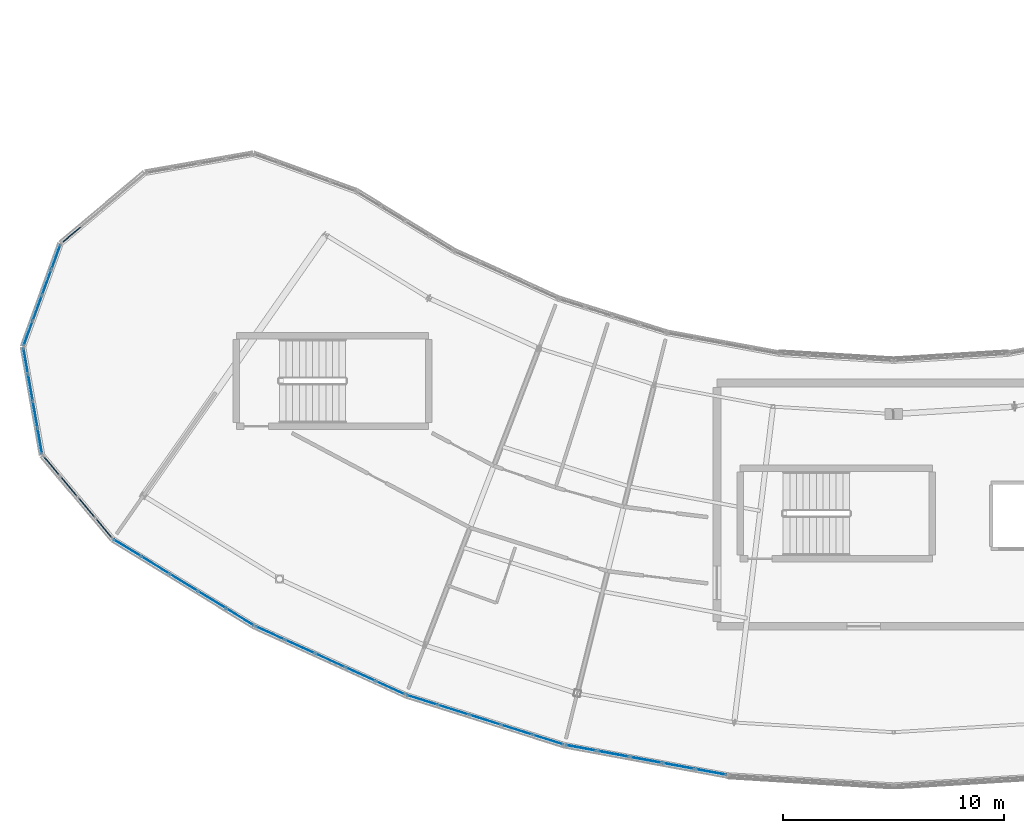
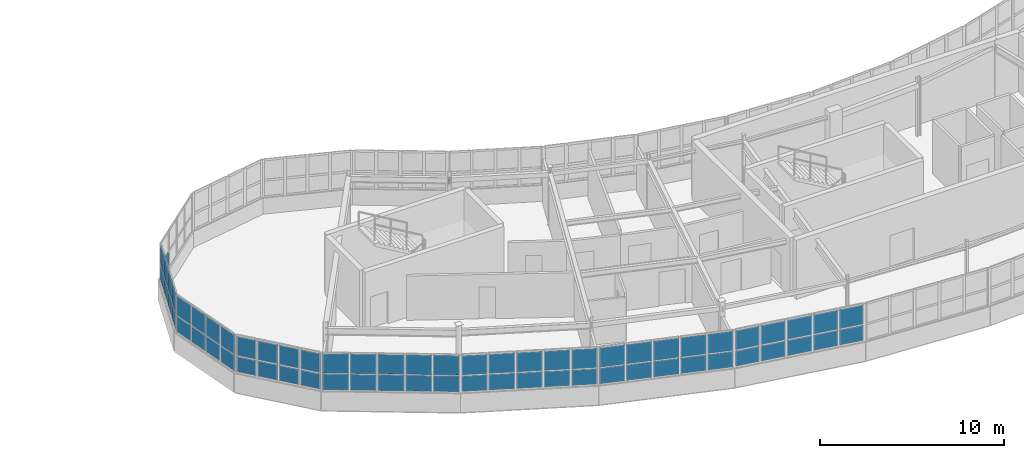
# One storey, part 36 of 65: 65 plates, 8 elements without a shape of their own.
"""IFC4 building model written with IfcOpenShell, lengths in metres."""

from ifc_helpers import new_model, si_unit, direction, frame, origin, origin_2d, place, context, subcontext, project, spatial, rectangle, extrude, material, layer, layer_set, type_object, element, aggregate, save


model = new_model("IFC4")

# Units and contexts
model_context = context("Model", 3, precision=1e-05, world=origin(), true_north=direction((0.0, 1.0)))
body_context = subcontext(model_context, "Body", "Model", "MODEL_VIEW")
ifc_project = project(units=[si_unit("LENGTHUNIT", "METRE"), si_unit("AREAUNIT", "SQUARE_METRE"), si_unit("VOLUMEUNIT", "CUBIC_METRE"), si_unit("PLANEANGLEUNIT", "RADIAN"), si_unit("MASSUNIT", "GRAM", prefix="KILO")], contexts=[model_context])

# Site, building, storey
site_placement = place(None, origin())
site = spatial("IfcSite", under=ifc_project, at=site_placement, CompositionType="ELEMENT")
building_placement = place(site_placement, origin())
building = spatial("IfcBuilding", under=site, at=building_placement, Name="Tarnwether General Hospital", CompositionType="ELEMENT")
storey_placement = place(building_placement, frame((0.0, 0.0, 22.199951171875)))
storey = spatial("IfcBuildingStorey", under=building, at=storey_placement, Name="L05", CompositionType="ELEMENT", Elevation=22.199951171875)

# Curtain wall, plates
ifc_material_1 = material(Name="Anodised aluminium", Category="aluminium")
ifc_layer_1 = layer(ifc_material_1, 0.159912109375)
ifc_layer_set_1 = layer_set([ifc_layer_1], Name="Anodised aluminium")
curtain_wall_type_1 = type_object("IfcCurtainWallType", Name="CW-10", PredefinedType="NOTDEFINED", material=ifc_layer_set_1)
curtain_wall_1_placement = place(storey_placement, origin())
curtain_wall_1 = element("IfcCurtainWall", 1, at=curtain_wall_1_placement, inside=storey, type_object=curtain_wall_type_1, Name="Curtain Wall CWG-L05-699_55-0219", PredefinedType="NOTDEFINED")
ifc_material_2 = material(Name="Double glazed low-E glass", Category="glass")
ifc_layer_2 = layer(ifc_material_2, 0.028076171875)
ifc_layer_set_2 = layer_set([ifc_layer_2], Name="Double glazed low-E glass")
plate_type_1 = type_object("IfcPlateType", Name="PT-CWP1", PredefinedType="CURTAIN_PANEL", material=ifc_layer_set_2)
plate_1_placement = place(storey_placement, frame((69.224609375, 5.81005859375, 1.1201171875), z_axis=(0.0, 0.0, 1.0), x_axis=(-0.909960793886, 0.414694289316, 0.0)))
plate_1 = element("IfcPlate", 2, at=plate_1_placement, type_object=plate_type_1, Name="CW-10 panel 1.1", PredefinedType="CURTAIN_PANEL", context=body_context, shape_type="SweptSolid", body=[
    extrude(rectangle(XDim=1.399169921875, YDim=0.028076171875, at=origin_2d()), origin(), (0.0, 0.0, 1.0), 1.0244140625),
])
plate_2_placement = place(storey_placement, frame((69.224609375, 5.81005859375, 2.214599609375), z_axis=(0.0, 0.0, 1.0), x_axis=(-0.909960793886, 0.414694289316, 0.0)))
plate_2 = element("IfcPlate", 3, at=plate_2_placement, type_object=plate_type_1, Name="CW-10 panel 1.2", PredefinedType="CURTAIN_PANEL", context=body_context, shape_type="SweptSolid", body=[
    extrude(rectangle(XDim=1.399169921875, YDim=0.028076171875, at=origin_2d()), origin(), (0.0, 0.0, 1.0), 1.275390625),
])
plate_3_placement = place(storey_placement, frame((67.871826171875, 6.4267578125, 1.1201171875), z_axis=(0.0, 0.0, 1.0), x_axis=(-0.909960793886, 0.414694289316, 0.0)))
plate_3 = element("IfcPlate", 4, at=plate_3_placement, type_object=plate_type_1, Name="CW-10 panel 2.1", PredefinedType="CURTAIN_PANEL", context=body_context, shape_type="SweptSolid", body=[
    extrude(rectangle(XDim=1.434326171875, YDim=0.028076171875, at=origin_2d()), origin(), (0.0, 0.0, 1.0), 1.0244140625),
])
plate_4_placement = place(storey_placement, frame((67.871826171875, 6.4267578125, 2.214599609375), z_axis=(0.0, 0.0, 1.0), x_axis=(-0.909960793886, 0.414694289316, 0.0)))
plate_4 = element("IfcPlate", 5, at=plate_4_placement, type_object=plate_type_1, Name="CW-10 panel 2.2", PredefinedType="CURTAIN_PANEL", context=body_context, shape_type="SweptSolid", body=[
    extrude(rectangle(XDim=1.434326171875, YDim=0.028076171875, at=origin_2d()), origin(), (0.0, 0.0, 1.0), 1.275390625),
])
plate_5_placement = place(storey_placement, frame((66.5029296875, 7.050537109375, 1.1201171875), z_axis=(0.0, 0.0, 1.0), x_axis=(-0.909960793886, 0.414694289316, 0.0)))
plate_5 = element("IfcPlate", 6, at=plate_5_placement, type_object=plate_type_1, Name="CW-10 panel 3.1", PredefinedType="CURTAIN_PANEL", context=body_context, shape_type="SweptSolid", body=[
    extrude(rectangle(XDim=1.434326171875, YDim=0.028076171875, at=origin_2d()), origin(), (0.0, 0.0, 1.0), 1.0244140625),
])
plate_6_placement = place(storey_placement, frame((66.5029296875, 7.050537109375, 2.214599609375), z_axis=(0.0, 0.0, 1.0), x_axis=(-0.909960793886, 0.414694289316, 0.0)))
plate_6 = element("IfcPlate", 7, at=plate_6_placement, type_object=plate_type_1, Name="CW-10 panel 3.2", PredefinedType="CURTAIN_PANEL", context=body_context, shape_type="SweptSolid", body=[
    extrude(rectangle(XDim=1.434326171875, YDim=0.028076171875, at=origin_2d()), origin(), (0.0, 0.0, 1.0), 1.275390625),
])
plate_7_placement = place(storey_placement, frame((65.13427734375, 7.67431640625, 1.1201171875), z_axis=(0.0, 0.0, 1.0), x_axis=(-0.909960793886, 0.414694289316, 0.0)))
plate_7 = element("IfcPlate", 8, at=plate_7_placement, type_object=plate_type_1, Name="CW-10 panel 4.1", PredefinedType="CURTAIN_PANEL", context=body_context, shape_type="SweptSolid", body=[
    extrude(rectangle(XDim=1.434326171875, YDim=0.028076171875, at=origin_2d()), origin(), (0.0, 0.0, 1.0), 1.0244140625),
])
plate_8_placement = place(storey_placement, frame((65.13427734375, 7.67431640625, 2.214599609375), z_axis=(0.0, 0.0, 1.0), x_axis=(-0.909960793886, 0.414694289316, 0.0)))
plate_8 = element("IfcPlate", 9, at=plate_8_placement, type_object=plate_type_1, Name="CW-10 panel 4.2", PredefinedType="CURTAIN_PANEL", context=body_context, shape_type="SweptSolid", body=[
    extrude(rectangle(XDim=1.434326171875, YDim=0.028076171875, at=origin_2d()), origin(), (0.0, 0.0, 1.0), 1.275390625),
])
plate_9_placement = place(storey_placement, frame((63.78125, 8.290771484375, 1.1201171875), z_axis=(0.0, 0.0, 1.0), x_axis=(-0.909960793886, 0.414694289316, 0.0)))
plate_9 = element("IfcPlate", 10, at=plate_9_placement, type_object=plate_type_1, Name="CW-10 panel 5.1", PredefinedType="CURTAIN_PANEL", context=body_context, shape_type="SweptSolid", body=[
    extrude(rectangle(XDim=1.399169921875, YDim=0.028076171875, at=origin_2d()), origin(), (0.0, 0.0, 1.0), 1.0244140625),
])
plate_10_placement = place(storey_placement, frame((63.78125, 8.290771484375, 2.214599609375), z_axis=(0.0, 0.0, 1.0), x_axis=(-0.909960793886, 0.414694289316, 0.0)))
plate_10 = element("IfcPlate", 11, at=plate_10_placement, type_object=plate_type_1, Name="CW-10 panel 5.2", PredefinedType="CURTAIN_PANEL", context=body_context, shape_type="SweptSolid", body=[
    extrude(rectangle(XDim=1.399169921875, YDim=0.028076171875, at=origin_2d()), origin(), (0.0, 0.0, 1.0), 1.275390625),
])
aggregate(curtain_wall_1, [plate_1, plate_2, plate_3, plate_4, plate_5, plate_6, plate_7, plate_8, plate_9, plate_10])

curtain_wall_2_placement = place(storey_placement, origin())
curtain_wall_2 = element("IfcCurtainWall", 12, at=curtain_wall_2_placement, inside=storey, type_object=curtain_wall_type_1, Name="Curtain Wall CWG-L05-771_32-0220", PredefinedType="NOTDEFINED")
plate_11_placement = place(storey_placement, frame((76.365234375, 3.4609375, 1.115234375), z_axis=(0.0, 0.0, 1.0), x_axis=(-0.953741284032, 0.300628613299, 0.0)))
plate_11 = element("IfcPlate", 13, at=plate_11_placement, type_object=plate_type_1, Name="CW-10 panel 1.1", PredefinedType="CURTAIN_PANEL", context=body_context, shape_type="SweptSolid", body=[
    extrude(rectangle(XDim=1.40673828125, YDim=0.028076171875, at=origin_2d()), origin(), (0.0, 0.0, 1.0), 1.031982421875),
])
plate_12_placement = place(storey_placement, frame((76.365234375, 3.4609375, 2.2119140625), z_axis=(0.0, 0.0, 1.0), x_axis=(-0.953741284032, 0.300628613299, 0.0)))
plate_12 = element("IfcPlate", 14, at=plate_12_placement, type_object=plate_type_1, Name="CW-10 panel 1.2", PredefinedType="CURTAIN_PANEL", context=body_context, shape_type="SweptSolid", body=[
    extrude(rectangle(XDim=1.40673828125, YDim=0.028076171875, at=origin_2d()), origin(), (0.0, 0.0, 1.0), 1.282958984375),
])
plate_13_placement = place(storey_placement, frame((74.946044921875, 3.908203125, 1.115234375), z_axis=(0.0, 0.0, 1.0), x_axis=(-0.953741284032, 0.300628613299, 0.0)))
plate_13 = element("IfcPlate", 15, at=plate_13_placement, type_object=plate_type_1, Name="CW-10 panel 2.1", PredefinedType="CURTAIN_PANEL", context=body_context, shape_type="SweptSolid", body=[
    extrude(rectangle(XDim=1.439208984375, YDim=0.028076171875, at=origin_2d()), origin(), (0.0, 0.0, 1.0), 1.031982421875),
])
plate_14_placement = place(storey_placement, frame((74.946044921875, 3.908203125, 2.2119140625), z_axis=(0.0, 0.0, 1.0), x_axis=(-0.953741284032, 0.300628613299, 0.0)))
plate_14 = element("IfcPlate", 16, at=plate_14_placement, type_object=plate_type_1, Name="CW-10 panel 2.2", PredefinedType="CURTAIN_PANEL", context=body_context, shape_type="SweptSolid", body=[
    extrude(rectangle(XDim=1.439208984375, YDim=0.028076171875, at=origin_2d()), origin(), (0.0, 0.0, 1.0), 1.282958984375),
])
plate_15_placement = place(storey_placement, frame((73.511474609375, 4.360595703125, 1.115234375), z_axis=(0.0, 0.0, 1.0), x_axis=(-0.953741284032, 0.300628613299, 0.0)))
plate_15 = element("IfcPlate", 17, at=plate_15_placement, type_object=plate_type_1, Name="CW-10 panel 3.1", PredefinedType="CURTAIN_PANEL", context=body_context, shape_type="SweptSolid", body=[
    extrude(rectangle(XDim=1.439208984375, YDim=0.028076171875, at=origin_2d()), origin(), (0.0, 0.0, 1.0), 1.031982421875),
])
plate_16_placement = place(storey_placement, frame((73.511474609375, 4.360595703125, 2.2119140625), z_axis=(0.0, 0.0, 1.0), x_axis=(-0.953741284032, 0.300628613299, 0.0)))
plate_16 = element("IfcPlate", 18, at=plate_16_placement, type_object=plate_type_1, Name="CW-10 panel 3.2", PredefinedType="CURTAIN_PANEL", context=body_context, shape_type="SweptSolid", body=[
    extrude(rectangle(XDim=1.439208984375, YDim=0.028076171875, at=origin_2d()), origin(), (0.0, 0.0, 1.0), 1.282958984375),
])
plate_17_placement = place(storey_placement, frame((72.076904296875, 4.812744140625, 1.115234375), z_axis=(0.0, 0.0, 1.0), x_axis=(-0.953741284032, 0.300628613299, 0.0)))
plate_17 = element("IfcPlate", 19, at=plate_17_placement, type_object=plate_type_1, Name="CW-10 panel 4.1", PredefinedType="CURTAIN_PANEL", context=body_context, shape_type="SweptSolid", body=[
    extrude(rectangle(XDim=1.439208984375, YDim=0.028076171875, at=origin_2d()), origin(), (0.0, 0.0, 1.0), 1.031982421875),
])
plate_18_placement = place(storey_placement, frame((72.076904296875, 4.812744140625, 2.2119140625), z_axis=(0.0, 0.0, 1.0), x_axis=(-0.953741284032, 0.300628613299, 0.0)))
plate_18 = element("IfcPlate", 20, at=plate_18_placement, type_object=plate_type_1, Name="CW-10 panel 4.2", PredefinedType="CURTAIN_PANEL", context=body_context, shape_type="SweptSolid", body=[
    extrude(rectangle(XDim=1.439208984375, YDim=0.028076171875, at=origin_2d()), origin(), (0.0, 0.0, 1.0), 1.282958984375),
])
plate_19_placement = place(storey_placement, frame((70.65771484375, 5.260009765625, 1.115234375), z_axis=(0.0, 0.0, 1.0), x_axis=(-0.953741284032, 0.300628613299, 0.0)))
plate_19 = element("IfcPlate", 21, at=plate_19_placement, type_object=plate_type_1, Name="CW-10 panel 5.1", PredefinedType="CURTAIN_PANEL", context=body_context, shape_type="SweptSolid", body=[
    extrude(rectangle(XDim=1.40673828125, YDim=0.028076171875, at=origin_2d()), origin(), (0.0, 0.0, 1.0), 1.031982421875),
])
plate_20_placement = place(storey_placement, frame((70.65771484375, 5.260009765625, 2.2119140625), z_axis=(0.0, 0.0, 1.0), x_axis=(-0.953741284032, 0.300628613299, 0.0)))
plate_20 = element("IfcPlate", 22, at=plate_20_placement, type_object=plate_type_1, Name="CW-10 panel 5.2", PredefinedType="CURTAIN_PANEL", context=body_context, shape_type="SweptSolid", body=[
    extrude(rectangle(XDim=1.40673828125, YDim=0.028076171875, at=origin_2d()), origin(), (0.0, 0.0, 1.0), 1.282958984375),
])
aggregate(curtain_wall_2, [plate_11, plate_12, plate_13, plate_14, plate_15, plate_16, plate_17, plate_18, plate_19, plate_20])

ifc_material_3 = material(Name="Anodised aluminium", Category="aluminium")
ifc_layer_3 = layer(ifc_material_3, 0.159912109375)
ifc_layer_set_3 = layer_set([ifc_layer_3], Name="Anodised aluminium")
curtain_wall_type_2 = type_object("IfcCurtainWallType", Name="CW-04", PredefinedType="NOTDEFINED", material=ifc_layer_set_3)
curtain_wall_3_placement = place(storey_placement, origin())
curtain_wall_3 = element("IfcCurtainWall", 23, at=curtain_wall_3_placement, inside=storey, type_object=curtain_wall_type_2, Name="Curtain Wall CWG-L05-526_212-0242", PredefinedType="NOTDEFINED")
plate_21_placement = place(storey_placement, frame((52.829345703125, 21.841064453125, 1.1201171875), z_axis=(0.0, 0.0, 1.0), x_axis=(0.341953136469, 0.939717006582, 0.0)))
plate_21 = element("IfcPlate", 24, at=plate_21_placement, type_object=plate_type_1, Name="CW-04 panel 1.1", PredefinedType="CURTAIN_PANEL", context=body_context, shape_type="SweptSolid", body=[
    extrude(rectangle(XDim=1.13720703125, YDim=0.028076171875, at=origin_2d()), origin(), (0.0, 0.0, 1.0), 1.0244140625),
])
plate_22_placement = place(storey_placement, frame((52.829345703125, 21.841064453125, 2.214599609375), z_axis=(0.0, 0.0, 1.0), x_axis=(0.341953136469, 0.939717006582, 0.0)))
plate_22 = element("IfcPlate", 25, at=plate_22_placement, type_object=plate_type_1, Name="CW-04 panel 1.2", PredefinedType="CURTAIN_PANEL", context=body_context, shape_type="SweptSolid", body=[
    extrude(rectangle(XDim=1.13720703125, YDim=0.028076171875, at=origin_2d()), origin(), (0.0, 0.0, 1.0), 1.275390625),
])
plate_23_placement = place(storey_placement, frame((53.248046875, 22.991943359375, 1.1201171875), z_axis=(0.0, 0.0, 1.0), x_axis=(0.341953136469, 0.939717006582, 0.0)))
plate_23 = element("IfcPlate", 26, at=plate_23_placement, type_object=plate_type_1, Name="CW-04 panel 2.1", PredefinedType="CURTAIN_PANEL", context=body_context, shape_type="SweptSolid", body=[
    extrude(rectangle(XDim=1.172119140625, YDim=0.028076171875, at=origin_2d()), origin(), (0.0, 0.0, 1.0), 1.0244140625),
])
plate_24_placement = place(storey_placement, frame((53.248046875, 22.991943359375, 2.214599609375), z_axis=(0.0, 0.0, 1.0), x_axis=(0.341953136469, 0.939717006582, 0.0)))
plate_24 = element("IfcPlate", 27, at=plate_24_placement, type_object=plate_type_1, Name="CW-04 panel 2.2", PredefinedType="CURTAIN_PANEL", context=body_context, shape_type="SweptSolid", body=[
    extrude(rectangle(XDim=1.172119140625, YDim=0.028076171875, at=origin_2d()), origin(), (0.0, 0.0, 1.0), 1.275390625),
])
plate_25_placement = place(storey_placement, frame((53.6728515625, 24.1591796875, 1.1201171875), z_axis=(0.0, 0.0, 1.0), x_axis=(0.341953136469, 0.939717006582, 0.0)))
plate_25 = element("IfcPlate", 28, at=plate_25_placement, type_object=plate_type_1, Name="CW-04 panel 3.1", PredefinedType="CURTAIN_PANEL", context=body_context, shape_type="SweptSolid", body=[
    extrude(rectangle(XDim=1.172119140625, YDim=0.028076171875, at=origin_2d()), origin(), (0.0, 0.0, 1.0), 1.0244140625),
])
plate_26_placement = place(storey_placement, frame((53.6728515625, 24.1591796875, 2.214599609375), z_axis=(0.0, 0.0, 1.0), x_axis=(0.341953136469, 0.939717006582, 0.0)))
plate_26 = element("IfcPlate", 29, at=plate_26_placement, type_object=plate_type_1, Name="CW-04 panel 3.2", PredefinedType="CURTAIN_PANEL", context=body_context, shape_type="SweptSolid", body=[
    extrude(rectangle(XDim=1.172119140625, YDim=0.028076171875, at=origin_2d()), origin(), (0.0, 0.0, 1.0), 1.275390625),
])
plate_27_placement = place(storey_placement, frame((54.091552734375, 25.309814453125, 1.1201171875), z_axis=(0.0, 0.0, 1.0), x_axis=(0.341953136469, 0.939717006582, 0.0)))
plate_27 = element("IfcPlate", 30, at=plate_27_placement, type_object=plate_type_1, Name="CW-04 panel 4.1", PredefinedType="CURTAIN_PANEL", context=body_context, shape_type="SweptSolid", body=[
    extrude(rectangle(XDim=1.13720703125, YDim=0.028076171875, at=origin_2d()), origin(), (0.0, 0.0, 1.0), 1.0244140625),
])
plate_28_placement = place(storey_placement, frame((54.091552734375, 25.309814453125, 2.214599609375), z_axis=(0.0, 0.0, 1.0), x_axis=(0.341953136469, 0.939717006582, 0.0)))
plate_28 = element("IfcPlate", 31, at=plate_28_placement, type_object=plate_type_1, Name="CW-04 panel 4.2", PredefinedType="CURTAIN_PANEL", context=body_context, shape_type="SweptSolid", body=[
    extrude(rectangle(XDim=1.13720703125, YDim=0.028076171875, at=origin_2d()), origin(), (0.0, 0.0, 1.0), 1.275390625),
])
aggregate(curtain_wall_3, [plate_21, plate_22, plate_23, plate_24, plate_25, plate_26, plate_27, plate_28])

curtain_wall_4_placement = place(storey_placement, origin())
curtain_wall_4 = element("IfcCurtainWall", 32, at=curtain_wall_4_placement, inside=storey, type_object=curtain_wall_type_2, Name="Curtain Wall CWG-L05-535_163-0243", PredefinedType="NOTDEFINED")
plate_29_placement = place(storey_placement, frame((53.362548828125, 16.974853515625, 1.115234375), z_axis=(0.0, 0.0, 1.0), x_axis=(-0.173463890135, 0.984840230098, 0.0)))
plate_29 = element("IfcPlate", 33, at=plate_29_placement, type_object=plate_type_1, Name="CW-04 panel 1.1", PredefinedType="CURTAIN_PANEL", context=body_context, shape_type="SweptSolid", body=[
    extrude(rectangle(XDim=1.144775390625, YDim=0.028076171875, at=origin_2d()), origin(), (0.0, 0.0, 1.0), 1.031982421875),
])
plate_30_placement = place(storey_placement, frame((53.362548828125, 16.974853515625, 2.2119140625), z_axis=(0.0, 0.0, 1.0), x_axis=(-0.173463890135, 0.984840230098, 0.0)))
plate_30 = element("IfcPlate", 34, at=plate_30_placement, type_object=plate_type_1, Name="CW-04 panel 1.2", PredefinedType="CURTAIN_PANEL", context=body_context, shape_type="SweptSolid", body=[
    extrude(rectangle(XDim=1.144775390625, YDim=0.028076171875, at=origin_2d()), origin(), (0.0, 0.0, 1.0), 1.282958984375),
])
plate_31_placement = place(storey_placement, frame((53.149658203125, 18.18212890625, 1.115234375), z_axis=(0.0, 0.0, 1.0), x_axis=(-0.173463890135, 0.984840230098, 0.0)))
plate_31 = element("IfcPlate", 35, at=plate_31_placement, type_object=plate_type_1, Name="CW-04 panel 2.1", PredefinedType="CURTAIN_PANEL", context=body_context, shape_type="SweptSolid", body=[
    extrude(rectangle(XDim=1.17724609375, YDim=0.028076171875, at=origin_2d()), origin(), (0.0, 0.0, 1.0), 1.031982421875),
])
plate_32_placement = place(storey_placement, frame((53.149658203125, 18.18212890625, 2.2119140625), z_axis=(0.0, 0.0, 1.0), x_axis=(-0.173463890135, 0.984840230098, 0.0)))
plate_32 = element("IfcPlate", 36, at=plate_32_placement, type_object=plate_type_1, Name="CW-04 panel 2.2", PredefinedType="CURTAIN_PANEL", context=body_context, shape_type="SweptSolid", body=[
    extrude(rectangle(XDim=1.17724609375, YDim=0.028076171875, at=origin_2d()), origin(), (0.0, 0.0, 1.0), 1.282958984375),
])
plate_33_placement = place(storey_placement, frame((52.934326171875, 19.40576171875, 1.115234375), z_axis=(0.0, 0.0, 1.0), x_axis=(-0.173463890135, 0.984840230098, 0.0)))
plate_33 = element("IfcPlate", 37, at=plate_33_placement, type_object=plate_type_1, Name="CW-04 panel 3.1", PredefinedType="CURTAIN_PANEL", context=body_context, shape_type="SweptSolid", body=[
    extrude(rectangle(XDim=1.17724609375, YDim=0.028076171875, at=origin_2d()), origin(), (0.0, 0.0, 1.0), 1.031982421875),
])
plate_34_placement = place(storey_placement, frame((52.934326171875, 19.40576171875, 2.2119140625), z_axis=(0.0, 0.0, 1.0), x_axis=(-0.173463890135, 0.984840230098, 0.0)))
plate_34 = element("IfcPlate", 38, at=plate_34_placement, type_object=plate_type_1, Name="CW-04 panel 3.2", PredefinedType="CURTAIN_PANEL", context=body_context, shape_type="SweptSolid", body=[
    extrude(rectangle(XDim=1.17724609375, YDim=0.028076171875, at=origin_2d()), origin(), (0.0, 0.0, 1.0), 1.282958984375),
])
plate_35_placement = place(storey_placement, frame((52.7216796875, 20.61328125, 1.115234375), z_axis=(0.0, 0.0, 1.0), x_axis=(-0.173463890135, 0.984840230098, 0.0)))
plate_35 = element("IfcPlate", 39, at=plate_35_placement, type_object=plate_type_1, Name="CW-04 panel 4.1", PredefinedType="CURTAIN_PANEL", context=body_context, shape_type="SweptSolid", body=[
    extrude(rectangle(XDim=1.144775390625, YDim=0.028076171875, at=origin_2d()), origin(), (0.0, 0.0, 1.0), 1.031982421875),
])
plate_36_placement = place(storey_placement, frame((52.7216796875, 20.61328125, 2.2119140625), z_axis=(0.0, 0.0, 1.0), x_axis=(-0.173463890135, 0.984840230098, 0.0)))
plate_36 = element("IfcPlate", 40, at=plate_36_placement, type_object=plate_type_1, Name="CW-04 panel 4.2", PredefinedType="CURTAIN_PANEL", context=body_context, shape_type="SweptSolid", body=[
    extrude(rectangle(XDim=1.144775390625, YDim=0.028076171875, at=origin_2d()), origin(), (0.0, 0.0, 1.0), 1.282958984375),
])
aggregate(curtain_wall_4, [plate_29, plate_30, plate_31, plate_32, plate_33, plate_34, plate_35, plate_36])

curtain_wall_5_placement = place(storey_placement, origin())
curtain_wall_5 = element("IfcCurtainWall", 41, at=curtain_wall_5_placement, inside=storey, type_object=curtain_wall_type_1, Name="Curtain Wall CWG-L05-631_86-0218", PredefinedType="NOTDEFINED")
ifc_material_4 = material(Name="Double glazed low-E glass", Category="glass")
ifc_layer_4 = layer(ifc_material_4, 0.035888671875)
ifc_layer_set_4 = layer_set([ifc_layer_4], Name="Double glazed low-E glass")
plate_type_2 = type_object("IfcPlateType", Name="PT-CWP2", PredefinedType="CURTAIN_PANEL", material=ifc_layer_set_4)
plate_37_placement = place(storey_placement, frame((62.427001953125, 9.0107421875, 1.110107421875), z_axis=(0.0, 0.0, 1.0), x_axis=(-0.852633734977, 0.522509056361, 0.0)))
plate_37 = element("IfcPlate", 42, at=plate_37_placement, type_object=plate_type_2, Name="CW-10 panel 1.1", PredefinedType="CURTAIN_PANEL", context=body_context, shape_type="SweptSolid", body=[
    extrude(rectangle(XDim=1.414306640625, YDim=0.035888671875, at=origin_2d()), origin(), (0.0, 0.0, 1.0), 1.03955078125),
])
plate_38_placement = place(storey_placement, frame((62.427001953125, 9.0107421875, 2.20947265625), z_axis=(0.0, 0.0, 1.0), x_axis=(-0.852633734977, 0.522509056361, 0.0)))
plate_38 = element("IfcPlate", 43, at=plate_38_placement, type_object=plate_type_2, Name="CW-10 panel 1.2", PredefinedType="CURTAIN_PANEL", context=body_context, shape_type="SweptSolid", body=[
    extrude(rectangle(XDim=1.414306640625, YDim=0.035888671875, at=origin_2d()), origin(), (0.0, 0.0, 1.0), 1.29052734375),
])
plate_39_placement = place(storey_placement, frame((61.156982421875, 9.7890625, 1.110107421875), z_axis=(0.0, 0.0, 1.0), x_axis=(-0.852633734977, 0.522509056361, 0.0)))
plate_39 = element("IfcPlate", 44, at=plate_39_placement, type_object=plate_type_2, Name="CW-10 panel 2.1", PredefinedType="CURTAIN_PANEL", context=body_context, shape_type="SweptSolid", body=[
    extrude(rectangle(XDim=1.4443359375, YDim=0.035888671875, at=origin_2d()), origin(), (0.0, 0.0, 1.0), 1.03955078125),
])
plate_40_placement = place(storey_placement, frame((61.156982421875, 9.7890625, 2.20947265625), z_axis=(0.0, 0.0, 1.0), x_axis=(-0.852633734977, 0.522509056361, 0.0)))
plate_40 = element("IfcPlate", 45, at=plate_40_placement, type_object=plate_type_2, Name="CW-10 panel 2.2", PredefinedType="CURTAIN_PANEL", context=body_context, shape_type="SweptSolid", body=[
    extrude(rectangle(XDim=1.4443359375, YDim=0.035888671875, at=origin_2d()), origin(), (0.0, 0.0, 1.0), 1.29052734375),
])
plate_41_placement = place(storey_placement, frame((59.87451171875, 10.574951171875, 1.110107421875), z_axis=(0.0, 0.0, 1.0), x_axis=(-0.852633734977, 0.522509056361, 0.0)))
plate_41 = element("IfcPlate", 46, at=plate_41_placement, type_object=plate_type_2, Name="CW-10 panel 3.1", PredefinedType="CURTAIN_PANEL", context=body_context, shape_type="SweptSolid", body=[
    extrude(rectangle(XDim=1.4443359375, YDim=0.035888671875, at=origin_2d()), origin(), (0.0, 0.0, 1.0), 1.03955078125),
])
plate_42_placement = place(storey_placement, frame((59.87451171875, 10.574951171875, 2.20947265625), z_axis=(0.0, 0.0, 1.0), x_axis=(-0.852633734977, 0.522509056361, 0.0)))
plate_42 = element("IfcPlate", 47, at=plate_42_placement, type_object=plate_type_2, Name="CW-10 panel 3.2", PredefinedType="CURTAIN_PANEL", context=body_context, shape_type="SweptSolid", body=[
    extrude(rectangle(XDim=1.4443359375, YDim=0.035888671875, at=origin_2d()), origin(), (0.0, 0.0, 1.0), 1.29052734375),
])
plate_43_placement = place(storey_placement, frame((58.591796875, 11.361083984375, 1.110107421875), z_axis=(0.0, 0.0, 1.0), x_axis=(-0.852633734977, 0.522509056361, 0.0)))
plate_43 = element("IfcPlate", 48, at=plate_43_placement, type_object=plate_type_2, Name="CW-10 panel 4.1", PredefinedType="CURTAIN_PANEL", context=body_context, shape_type="SweptSolid", body=[
    extrude(rectangle(XDim=1.4443359375, YDim=0.035888671875, at=origin_2d()), origin(), (0.0, 0.0, 1.0), 1.03955078125),
])
plate_44_placement = place(storey_placement, frame((58.591796875, 11.361083984375, 2.20947265625), z_axis=(0.0, 0.0, 1.0), x_axis=(-0.852633734977, 0.522509056361, 0.0)))
plate_44 = element("IfcPlate", 49, at=plate_44_placement, type_object=plate_type_2, Name="CW-10 panel 4.2", PredefinedType="CURTAIN_PANEL", context=body_context, shape_type="SweptSolid", body=[
    extrude(rectangle(XDim=1.4443359375, YDim=0.035888671875, at=origin_2d()), origin(), (0.0, 0.0, 1.0), 1.29052734375),
])
plate_45_placement = place(storey_placement, frame((57.322021484375, 12.13916015625, 1.110107421875), z_axis=(0.0, 0.0, 1.0), x_axis=(-0.852633734977, 0.522509056361, 0.0)))
plate_45 = element("IfcPlate", 50, at=plate_45_placement, type_object=plate_type_2, Name="CW-10 panel 5.1", PredefinedType="CURTAIN_PANEL", context=body_context, shape_type="SweptSolid", body=[
    extrude(rectangle(XDim=1.414306640625, YDim=0.035888671875, at=origin_2d()), origin(), (0.0, 0.0, 1.0), 1.03955078125),
])
plate_46_placement = place(storey_placement, frame((57.322021484375, 12.13916015625, 2.20947265625), z_axis=(0.0, 0.0, 1.0), x_axis=(-0.852633734977, 0.522509056361, 0.0)))
plate_46 = element("IfcPlate", 51, at=plate_46_placement, type_object=plate_type_2, Name="CW-10 panel 5.2", PredefinedType="CURTAIN_PANEL", context=body_context, shape_type="SweptSolid", body=[
    extrude(rectangle(XDim=1.414306640625, YDim=0.035888671875, at=origin_2d()), origin(), (0.0, 0.0, 1.0), 1.29052734375),
])
aggregate(curtain_wall_5, [plate_37, plate_38, plate_39, plate_40, plate_41, plate_42, plate_43, plate_44, plate_45, plate_46])

curtain_wall_6_placement = place(storey_placement, origin())
curtain_wall_6 = element("IfcCurtainWall", 52, at=curtain_wall_6_placement, inside=storey, type_object=curtain_wall_type_1, Name="Curtain Wall CWG-L05-845_19-0221", PredefinedType="NOTDEFINED")
plate_47_placement = place(storey_placement, frame((83.73388671875, 1.999755859375, 1.1298828125), z_axis=(0.0, 0.0, 1.0), x_axis=(-0.983244953132, 0.182289226614, 0.0)))
plate_47 = element("IfcPlate", 53, at=plate_47_placement, type_object=plate_type_2, Name="CW-10 panel 1.1", PredefinedType="CURTAIN_PANEL", context=body_context, shape_type="SweptSolid", body=[
    extrude(rectangle(XDim=1.38427734375, YDim=0.035888671875, at=origin_2d()), origin(), (0.0, 0.0, 1.0), 1.009521484375),
])
plate_48_placement = place(storey_placement, frame((83.73388671875, 1.999755859375, 2.2197265625), z_axis=(0.0, 0.0, 1.0), x_axis=(-0.983244953132, 0.182289226614, 0.0)))
plate_48 = element("IfcPlate", 54, at=plate_48_placement, type_object=plate_type_2, Name="CW-10 panel 1.2", PredefinedType="CURTAIN_PANEL", context=body_context, shape_type="SweptSolid", body=[
    extrude(rectangle(XDim=1.38427734375, YDim=0.035888671875, at=origin_2d()), origin(), (0.0, 0.0, 1.0), 1.260498046875),
])
plate_49_placement = place(storey_placement, frame((82.2744140625, 2.270263671875, 1.1298828125), z_axis=(0.0, 0.0, 1.0), x_axis=(-0.983244953132, 0.182289226614, 0.0)))
plate_49 = element("IfcPlate", 55, at=plate_49_placement, type_object=plate_type_2, Name="CW-10 panel 2.1", PredefinedType="CURTAIN_PANEL", context=body_context, shape_type="SweptSolid", body=[
    extrude(rectangle(XDim=1.42431640625, YDim=0.035888671875, at=origin_2d()), origin(), (0.0, 0.0, 1.0), 1.009521484375),
])
plate_50_placement = place(storey_placement, frame((82.2744140625, 2.270263671875, 2.2197265625), z_axis=(0.0, 0.0, 1.0), x_axis=(-0.983244953132, 0.182289226614, 0.0)))
plate_50 = element("IfcPlate", 56, at=plate_50_placement, type_object=plate_type_2, Name="CW-10 panel 2.2", PredefinedType="CURTAIN_PANEL", context=body_context, shape_type="SweptSolid", body=[
    extrude(rectangle(XDim=1.42431640625, YDim=0.035888671875, at=origin_2d()), origin(), (0.0, 0.0, 1.0), 1.260498046875),
])
plate_51_placement = place(storey_placement, frame((80.79541015625, 2.54443359375, 1.1298828125), z_axis=(0.0, 0.0, 1.0), x_axis=(-0.983244953132, 0.182289226614, 0.0)))
plate_51 = element("IfcPlate", 57, at=plate_51_placement, type_object=plate_type_2, Name="CW-10 panel 3.1", PredefinedType="CURTAIN_PANEL", context=body_context, shape_type="SweptSolid", body=[
    extrude(rectangle(XDim=1.42431640625, YDim=0.035888671875, at=origin_2d()), origin(), (0.0, 0.0, 1.0), 1.009521484375),
])
plate_52_placement = place(storey_placement, frame((80.79541015625, 2.54443359375, 2.2197265625), z_axis=(0.0, 0.0, 1.0), x_axis=(-0.983244953132, 0.182289226614, 0.0)))
plate_52 = element("IfcPlate", 58, at=plate_52_placement, type_object=plate_type_2, Name="CW-10 panel 3.2", PredefinedType="CURTAIN_PANEL", context=body_context, shape_type="SweptSolid", body=[
    extrude(rectangle(XDim=1.42431640625, YDim=0.035888671875, at=origin_2d()), origin(), (0.0, 0.0, 1.0), 1.260498046875),
])
plate_53_placement = place(storey_placement, frame((79.31640625, 2.818603515625, 1.1298828125), z_axis=(0.0, 0.0, 1.0), x_axis=(-0.983244953132, 0.182289226614, 0.0)))
plate_53 = element("IfcPlate", 59, at=plate_53_placement, type_object=plate_type_2, Name="CW-10 panel 4.1", PredefinedType="CURTAIN_PANEL", context=body_context, shape_type="SweptSolid", body=[
    extrude(rectangle(XDim=1.42431640625, YDim=0.035888671875, at=origin_2d()), origin(), (0.0, 0.0, 1.0), 1.009521484375),
])
plate_54_placement = place(storey_placement, frame((79.31640625, 2.818603515625, 2.2197265625), z_axis=(0.0, 0.0, 1.0), x_axis=(-0.983244953132, 0.182289226614, 0.0)))
plate_54 = element("IfcPlate", 60, at=plate_54_placement, type_object=plate_type_2, Name="CW-10 panel 4.2", PredefinedType="CURTAIN_PANEL", context=body_context, shape_type="SweptSolid", body=[
    extrude(rectangle(XDim=1.42431640625, YDim=0.035888671875, at=origin_2d()), origin(), (0.0, 0.0, 1.0), 1.260498046875),
])
plate_55_placement = place(storey_placement, frame((77.857177734375, 3.08935546875, 1.1298828125), z_axis=(0.0, 0.0, 1.0), x_axis=(-0.983244953132, 0.182289226614, 0.0)))
plate_55 = element("IfcPlate", 61, at=plate_55_placement, type_object=plate_type_2, Name="CW-10 panel 5.1", PredefinedType="CURTAIN_PANEL", context=body_context, shape_type="SweptSolid", body=[
    extrude(rectangle(XDim=1.38427734375, YDim=0.035888671875, at=origin_2d()), origin(), (0.0, 0.0, 1.0), 1.009521484375),
])
plate_56_placement = place(storey_placement, frame((77.857177734375, 3.08935546875, 2.2197265625), z_axis=(0.0, 0.0, 1.0), x_axis=(-0.983244953132, 0.182289226614, 0.0)))
plate_56 = element("IfcPlate", 62, at=plate_56_placement, type_object=plate_type_2, Name="CW-10 panel 5.2", PredefinedType="CURTAIN_PANEL", context=body_context, shape_type="SweptSolid", body=[
    extrude(rectangle(XDim=1.38427734375, YDim=0.035888671875, at=origin_2d()), origin(), (0.0, 0.0, 1.0), 1.260498046875),
])
aggregate(curtain_wall_6, [plate_47, plate_48, plate_49, plate_50, plate_51, plate_52, plate_53, plate_54, plate_55, plate_56])

# Curtain wall, plate
curtain_wall_7_placement = place(storey_placement, origin())
curtain_wall_7 = element("IfcCurtainWall", 63, at=curtain_wall_7_placement, inside=storey, type_object=curtain_wall_type_2, Name="Curtain Wall CWG-L05-543_259-0241", PredefinedType="NOTDEFINED")
plate_57_placement = place(storey_placement, frame((54.79736328125, 26.319091796875, 1.110107421875), z_axis=(0.0, 0.0, 1.0), x_axis=(0.765990176896, 0.64285227611, 0.0)))
plate_57 = element("IfcPlate", 64, at=plate_57_placement, type_object=plate_type_2, Name="CW-04 panel 1.1", PredefinedType="CURTAIN_PANEL", context=body_context, shape_type="SweptSolid", body=[
    extrude(rectangle(XDim=1.152587890625, YDim=0.035888671875, at=origin_2d()), origin(), (0.0, 0.0, 1.0), 1.03955078125),
])
aggregate(curtain_wall_7, [plate_57])

# Curtain wall, plates
curtain_wall_8_placement = place(storey_placement, origin())
curtain_wall_8 = element("IfcCurtainWall", 65, at=curtain_wall_8_placement, inside=storey, type_object=curtain_wall_type_2, Name="Curtain Wall CWG-L05-567_125-0244", PredefinedType="NOTDEFINED")
plate_58_placement = place(storey_placement, frame((56.255859375, 13.03125, 1.1298828125), z_axis=(0.0, 0.0, 1.0), x_axis=(-0.64285227611, 0.765990176896, 0.0)))
plate_58 = element("IfcPlate", 66, at=plate_58_placement, type_object=plate_type_2, Name="CW-04 panel 1.1", PredefinedType="CURTAIN_PANEL", context=body_context, shape_type="SweptSolid", body=[
    extrude(rectangle(XDim=1.12255859375, YDim=0.035888671875, at=origin_2d()), origin(), (0.0, 0.0, 1.0), 1.009521484375),
])
plate_59_placement = place(storey_placement, frame((56.255859375, 13.03125, 2.2197265625), z_axis=(0.0, 0.0, 1.0), x_axis=(-0.64285227611, 0.765990176896, 0.0)))
plate_59 = element("IfcPlate", 67, at=plate_59_placement, type_object=plate_type_2, Name="CW-04 panel 1.2", PredefinedType="CURTAIN_PANEL", context=body_context, shape_type="SweptSolid", body=[
    extrude(rectangle(XDim=1.12255859375, YDim=0.035888671875, at=origin_2d()), origin(), (0.0, 0.0, 1.0), 1.260498046875),
])
plate_60_placement = place(storey_placement, frame((55.469970703125, 13.967529296875, 1.1298828125), z_axis=(0.0, 0.0, 1.0), x_axis=(-0.64285227611, 0.765990176896, 0.0)))
plate_60 = element("IfcPlate", 68, at=plate_60_placement, type_object=plate_type_2, Name="CW-04 panel 2.1", PredefinedType="CURTAIN_PANEL", context=body_context, shape_type="SweptSolid", body=[
    extrude(rectangle(XDim=1.16259765625, YDim=0.035888671875, at=origin_2d()), origin(), (0.0, 0.0, 1.0), 1.009521484375),
])
plate_61_placement = place(storey_placement, frame((55.469970703125, 13.967529296875, 2.2197265625), z_axis=(0.0, 0.0, 1.0), x_axis=(-0.64285227611, 0.765990176896, 0.0)))
plate_61 = element("IfcPlate", 69, at=plate_61_placement, type_object=plate_type_2, Name="CW-04 panel 2.2", PredefinedType="CURTAIN_PANEL", context=body_context, shape_type="SweptSolid", body=[
    extrude(rectangle(XDim=1.16259765625, YDim=0.035888671875, at=origin_2d()), origin(), (0.0, 0.0, 1.0), 1.260498046875),
])
plate_62_placement = place(storey_placement, frame((54.671142578125, 14.91943359375, 1.1298828125), z_axis=(0.0, 0.0, 1.0), x_axis=(-0.64285227611, 0.765990176896, 0.0)))
plate_62 = element("IfcPlate", 70, at=plate_62_placement, type_object=plate_type_2, Name="CW-04 panel 3.1", PredefinedType="CURTAIN_PANEL", context=body_context, shape_type="SweptSolid", body=[
    extrude(rectangle(XDim=1.16259765625, YDim=0.035888671875, at=origin_2d()), origin(), (0.0, 0.0, 1.0), 1.009521484375),
])
plate_63_placement = place(storey_placement, frame((54.671142578125, 14.91943359375, 2.2197265625), z_axis=(0.0, 0.0, 1.0), x_axis=(-0.64285227611, 0.765990176896, 0.0)))
plate_63 = element("IfcPlate", 71, at=plate_63_placement, type_object=plate_type_2, Name="CW-04 panel 3.2", PredefinedType="CURTAIN_PANEL", context=body_context, shape_type="SweptSolid", body=[
    extrude(rectangle(XDim=1.16259765625, YDim=0.035888671875, at=origin_2d()), origin(), (0.0, 0.0, 1.0), 1.260498046875),
])
plate_64_placement = place(storey_placement, frame((53.88525390625, 15.855712890625, 1.1298828125), z_axis=(0.0, 0.0, 1.0), x_axis=(-0.64285227611, 0.765990176896, 0.0)))
plate_64 = element("IfcPlate", 72, at=plate_64_placement, type_object=plate_type_2, Name="CW-04 panel 4.1", PredefinedType="CURTAIN_PANEL", context=body_context, shape_type="SweptSolid", body=[
    extrude(rectangle(XDim=1.12255859375, YDim=0.035888671875, at=origin_2d()), origin(), (0.0, 0.0, 1.0), 1.009521484375),
])
plate_65_placement = place(storey_placement, frame((53.88525390625, 15.855712890625, 2.2197265625), z_axis=(0.0, 0.0, 1.0), x_axis=(-0.64285227611, 0.765990176896, 0.0)))
plate_65 = element("IfcPlate", 73, at=plate_65_placement, type_object=plate_type_2, Name="CW-04 panel 4.2", PredefinedType="CURTAIN_PANEL", context=body_context, shape_type="SweptSolid", body=[
    extrude(rectangle(XDim=1.12255859375, YDim=0.035888671875, at=origin_2d()), origin(), (0.0, 0.0, 1.0), 1.260498046875),
])
aggregate(curtain_wall_8, [plate_58, plate_59, plate_60, plate_61, plate_62, plate_63, plate_64, plate_65])

save(model, "model.ifc")
